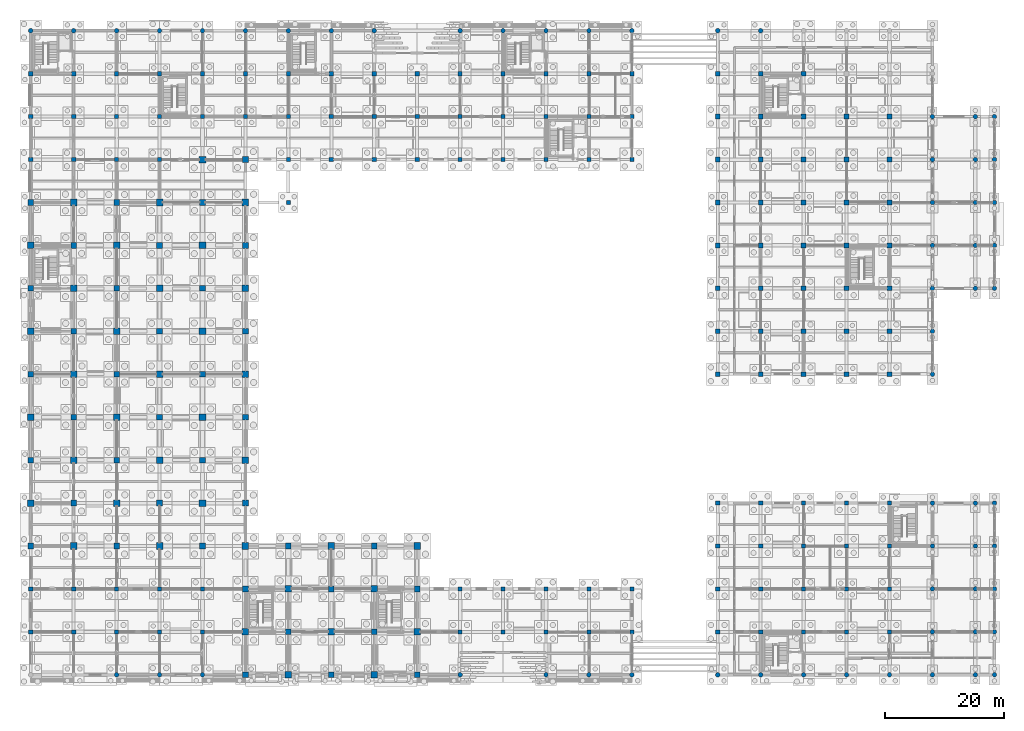
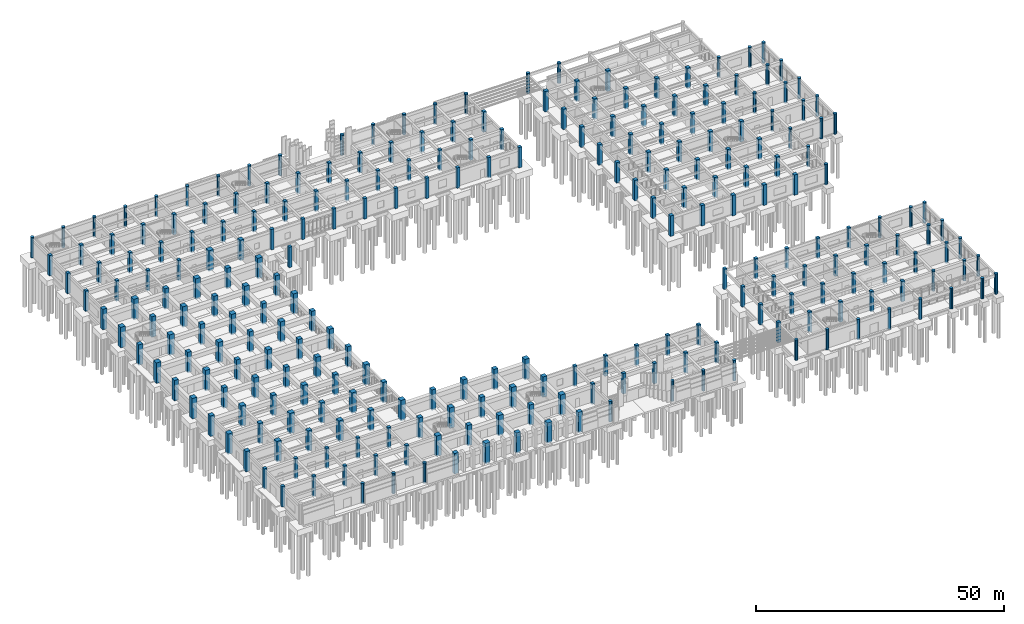
# One storey, part 16 of 79: 257 columns.
"""IFC4 building model written with IfcOpenShell, lengths in metres."""

from ifc_helpers import new_model, si_unit, direction, frame, origin, origin_2d, place, context, subcontext, project, spatial, rectangle, circle, extrude, material, material_profile, profile_set, type_object, element, save


model = new_model("IFC4")

# Units and contexts
model_context = context("Model", 3, precision=1e-05, world=origin(), true_north=direction((0.0, 1.0)))
body_context = subcontext(model_context, "Body", "Model", "MODEL_VIEW")
ifc_project = project(units=[si_unit("LENGTHUNIT", "METRE"), si_unit("AREAUNIT", "SQUARE_METRE"), si_unit("VOLUMEUNIT", "CUBIC_METRE"), si_unit("PLANEANGLEUNIT", "RADIAN"), si_unit("MASSUNIT", "GRAM", prefix="KILO")], contexts=[model_context])

# Site, building, storey
site_placement = place(None, origin())
site = spatial("IfcSite", under=ifc_project, at=site_placement, CompositionType="ELEMENT")
building_placement = place(site_placement, origin())
building = spatial("IfcBuilding", under=site, at=building_placement, Name="Kavelor Marine Aquarium", CompositionType="ELEMENT")
storey_placement = place(building_placement, origin())
storey = spatial("IfcBuildingStorey", under=building, at=storey_placement, Name="L00", CompositionType="ELEMENT", Elevation=0.0)

# Columns
ifc_material_1 = material(Name="Concrete C45/55", Category="concrete")
ifc_material_profile_1 = material_profile(ifc_material_1, rectangle(XDim=1.10009765625, YDim=1.10009765625, at=origin_2d()), Name="RC-COL 1100x1100")
ifc_profile_set_1 = profile_set([ifc_material_profile_1], Name="Concrete C45/55")
column_type_1 = type_object("IfcColumnType", Name="COL-C1", PredefinedType="COLUMN", material=ifc_profile_set_1)
for number, where, z_axis, x_axis, name in (
    (1, (3.199951171875, 31.60009765625, -0.35009765625), (0.0, 0.0, 1.0), (1.0, 0.0, 0.0), "col:L00:00_04"),
    (2, (3.199951171875, 46.0, -0.35009765625), (0.0, 0.0, 1.0), (1.0, 0.0, 0.0), "col:L00:00_06"),
    (3, (3.199951171875, 60.39990234375, -0.35009765625), (0.0, 0.0, 1.0), (1.0, 0.0, 0.0), "col:L00:00_08"),
    (4, (3.199951171875, 74.800048828125, -0.35009765625), (0.0, 0.0, 1.0), (1.0, 0.0, 0.0), "col:L00:00_10"),
    (5, (10.39990234375, 24.39990234375, -0.35009765625), (0.0, 0.0, 1.0), (1.0, 0.0, 0.0), "col:L00:01_03"),
    (6, (10.39990234375, 38.800048828125, -0.35009765625), (0.0, 0.0, 1.0), (1.0, 0.0, 0.0), "col:L00:01_05"),
    (7, (10.39990234375, 53.199951171875, -0.35009765625), (0.0, 0.0, 1.0), (1.0, 0.0, 0.0), "col:L00:01_07"),
    (8, (10.39990234375, 67.60009765625, -0.35009765625), (0.0, 0.0, 1.0), (1.0, 0.0, 0.0), "col:L00:01_09"),
    (9, (10.39990234375, 82.0, -0.35009765625), (0.0, 0.0, 1.0), (1.0, 0.0, 0.0), "col:L00:01_11"),
    (10, (17.60009765625, 31.60009765625, -0.35009765625), (0.0, 0.0, 1.0), (1.0, 0.0, 0.0), "col:L00:02_04"),
    (11, (17.60009765625, 46.0, -0.35009765625), (0.0, 0.0, 1.0), (1.0, 0.0, 0.0), "col:L00:02_06"),
    (12, (17.60009765625, 60.39990234375, -0.35009765625), (0.0, 0.0, 1.0), (1.0, 0.0, 0.0), "col:L00:02_08"),
    (13, (17.60009765625, 74.800048828125, -0.35009765625), (0.0, 0.0, 1.0), (1.0, 0.0, 0.0), "col:L00:02_10"),
    (14, (24.800048828125, 24.39990234375, -0.35009765625), (0.0, 0.0, 1.0), (1.0, 0.0, 0.0), "col:L00:03_03"),
    (15, (24.800048828125, 38.800048828125, -0.35009765625), (0.0, 0.0, 1.0), (1.0, 0.0, 0.0), "col:L00:03_05"),
    (16, (24.800048828125, 53.199951171875, -0.35009765625), (0.0, 0.0, 1.0), (1.0, 0.0, 0.0), "col:L00:03_07"),
    (17, (24.800048828125, 67.60009765625, -0.35009765625), (0.0, 0.0, 1.0), (1.0, 0.0, 0.0), "col:L00:03_09"),
    (18, (24.800048828125, 82.0, -0.35009765625), (0.0, 0.0, 1.0), (1.0, 0.0, 0.0), "col:L00:03_11"),
    (19, (32.0, 31.60009765625, -0.35009765625), (0.0, 0.0, 1.0), (1.0, 0.0, 0.0), "col:L00:04_04"),
    (20, (32.0, 46.0, -0.35009765625), (0.0, 0.0, 1.0), (1.0, 0.0, 0.0), "col:L00:04_06"),
    (21, (32.0, 60.39990234375, -0.35009765625), (0.0, 0.0, 1.0), (1.0, 0.0, 0.0), "col:L00:04_08"),
    (22, (32.0, 74.800048828125, -0.35009765625), (0.0, 0.0, 1.0), (1.0, 0.0, 0.0), "col:L00:04_10"),
    (23, (32.0, 89.199951171875, -0.35009765625), (0.0, 0.0, 1.0), (1.0, 0.0, 0.0), "col:L00:04_12"),
    (24, (39.199951171875, 10.0, -0.35009765625), (0.0, 0.0, 1.0), (1.0, 0.0, 0.0), "col:L00:05_01"),
    (25, (39.199951171875, 24.39990234375, -0.35009765625), (0.0, 0.0, 1.0), (1.0, 0.0, 0.0), "col:L00:05_03"),
    (26, (39.199951171875, 38.800048828125, -0.35009765625), (0.0, 0.0, 1.0), (1.0, 0.0, 0.0), "col:L00:05_05"),
    (27, (39.199951171875, 53.199951171875, -0.35009765625), (0.0, 0.0, 1.0), (1.0, 0.0, 0.0), "col:L00:05_07"),
    (28, (39.199951171875, 67.60009765625, -0.35009765625), (0.0, 0.0, 1.0), (1.0, 0.0, 0.0), "col:L00:05_09"),
    (29, (39.199951171875, 82.0, -0.35009765625), (0.0, 0.0, 1.0), (1.0, 0.0, 0.0), "col:L00:05_11"),
    (30, (46.39990234375, 2.800048828125, -0.35009765625), (0.0, 0.0, 1.0), (1.0, 0.0, 0.0), "col:L00:06_00"),
    (31, (46.39990234375, 17.199951171875, -0.35009765625), (0.0, 0.0, 1.0), (1.0, 0.0, 0.0), "col:L00:06_02"),
    (32, (53.60009765625, 10.0, -0.35009765625), (0.0, 0.0, 1.0), (1.0, 0.0, 0.0), "col:L00:07_01"),
    (33, (53.60009765625, 24.39990234375, -0.35009765625), (0.0, 0.0, 1.0), (1.0, 0.0, 0.0), "col:L00:07_03"),
    (34, (60.800048828125, 2.800048828125, -0.35009765625), (0.0, 0.0, 1.0), (1.0, 0.0, 0.0), "col:L00:08_00"),
    (35, (60.800048828125, 17.199951171875, -0.35009765625), (0.0, 0.0, 1.0), (1.0, 0.0, 0.0), "col:L00:08_02"),
    (36, (68.0, 10.0, -0.35009765625), (0.0, 0.0, 1.0), (1.0, 0.0, 0.0), "col:L00:09_01"),
    (37, (68.0, 24.39990234375, -0.35009765625), (0.0, 0.0, 1.0), (1.0, 0.0, 0.0), "col:L00:09_03"),
):
    element("IfcColumn", number, at=place(storey_placement, frame(where, z_axis=z_axis, x_axis=x_axis)), inside=storey, type_object=column_type_1, Name=name, PredefinedType="COLUMN", context=body_context, shape_type="SweptSolid", body=[
        extrude(rectangle(XDim=1.10009765625, YDim=1.10009765625, at=origin_2d()), origin(), (0.0, 0.0, 1.0), 5.030029296875),
    ])
ifc_material_2 = material(Name="Concrete C45/55", Category="concrete")
ifc_material_profile_2 = material_profile(ifc_material_2, rectangle(XDim=0.949951171875, YDim=0.949951171875, at=origin_2d()), Name="RC-COL 950x950")
ifc_profile_set_2 = profile_set([ifc_material_profile_2], Name="Concrete C45/55")
column_type_2 = type_object("IfcColumnType", Name="COL-C2", PredefinedType="COLUMN", material=ifc_profile_set_2)
for number, where, z_axis, x_axis, name in (
    (38, (3.199951171875, 24.39990234375, -0.35009765625), (0.0, 0.0, 1.0), (1.0, 0.0, 0.0), "col:L00:00_03"),
    (39, (3.199951171875, 38.800048828125, -0.35009765625), (0.0, 0.0, 1.0), (1.0, 0.0, 0.0), "col:L00:00_05"),
    (40, (3.199951171875, 53.199951171875, -0.35009765625), (0.0, 0.0, 1.0), (1.0, 0.0, 0.0), "col:L00:00_07"),
    (41, (3.199951171875, 67.60009765625, -0.35009765625), (0.0, 0.0, 1.0), (1.0, 0.0, 0.0), "col:L00:00_09"),
    (42, (3.199951171875, 82.0, -0.35009765625), (0.0, 0.0, 1.0), (1.0, 0.0, 0.0), "col:L00:00_11"),
    (43, (10.39990234375, 31.60009765625, -0.35009765625), (0.0, 0.0, 1.0), (1.0, 0.0, 0.0), "col:L00:01_04"),
    (44, (10.39990234375, 46.0, -0.35009765625), (0.0, 0.0, 1.0), (1.0, 0.0, 0.0), "col:L00:01_06"),
    (45, (10.39990234375, 60.39990234375, -0.35009765625), (0.0, 0.0, 1.0), (1.0, 0.0, 0.0), "col:L00:01_08"),
    (46, (10.39990234375, 74.800048828125, -0.35009765625), (0.0, 0.0, 1.0), (1.0, 0.0, 0.0), "col:L00:01_10"),
    (47, (17.60009765625, 24.39990234375, -0.35009765625), (0.0, 0.0, 1.0), (1.0, 0.0, 0.0), "col:L00:02_03"),
    (48, (17.60009765625, 38.800048828125, -0.35009765625), (0.0, 0.0, 1.0), (1.0, 0.0, 0.0), "col:L00:02_05"),
    (49, (17.60009765625, 53.199951171875, -0.35009765625), (0.0, 0.0, 1.0), (1.0, 0.0, 0.0), "col:L00:02_07"),
    (50, (17.60009765625, 67.60009765625, -0.35009765625), (0.0, 0.0, 1.0), (1.0, 0.0, 0.0), "col:L00:02_09"),
    (51, (17.60009765625, 82.0, -0.35009765625), (0.0, 0.0, 1.0), (1.0, 0.0, 0.0), "col:L00:02_11"),
    (52, (24.800048828125, 31.60009765625, -0.35009765625), (0.0, 0.0, 1.0), (1.0, 0.0, 0.0), "col:L00:03_04"),
    (53, (24.800048828125, 46.0, -0.35009765625), (0.0, 0.0, 1.0), (1.0, 0.0, 0.0), "col:L00:03_06"),
    (54, (24.800048828125, 60.39990234375, -0.35009765625), (0.0, 0.0, 1.0), (1.0, 0.0, 0.0), "col:L00:03_08"),
    (55, (24.800048828125, 74.800048828125, -0.35009765625), (0.0, 0.0, 1.0), (1.0, 0.0, 0.0), "col:L00:03_10"),
    (56, (32.0, 24.39990234375, -0.35009765625), (0.0, 0.0, 1.0), (1.0, 0.0, 0.0), "col:L00:04_03"),
    (57, (32.0, 38.800048828125, -0.35009765625), (0.0, 0.0, 1.0), (1.0, 0.0, 0.0), "col:L00:04_05"),
    (58, (32.0, 53.199951171875, -0.35009765625), (0.0, 0.0, 1.0), (1.0, 0.0, 0.0), "col:L00:04_07"),
    (59, (32.0, 67.60009765625, -0.35009765625), (0.0, 0.0, 1.0), (1.0, 0.0, 0.0), "col:L00:04_09"),
    (60, (32.0, 82.0, -0.35009765625), (0.0, 0.0, 1.0), (1.0, 0.0, 0.0), "col:L00:04_11"),
    (61, (39.199951171875, 2.800048828125, -0.35009765625), (0.0, 0.0, 1.0), (1.0, 0.0, 0.0), "col:L00:05_00"),
    (62, (39.199951171875, 17.199951171875, -0.35009765625), (0.0, 0.0, 1.0), (1.0, 0.0, 0.0), "col:L00:05_02"),
    (63, (39.199951171875, 31.60009765625, -0.35009765625), (0.0, 0.0, 1.0), (1.0, 0.0, 0.0), "col:L00:05_04"),
    (64, (39.199951171875, 46.0, -0.35009765625), (0.0, 0.0, 1.0), (1.0, 0.0, 0.0), "col:L00:05_06"),
    (65, (39.199951171875, 60.39990234375, -0.35009765625), (0.0, 0.0, 1.0), (1.0, 0.0, 0.0), "col:L00:05_08"),
    (66, (39.199951171875, 74.800048828125, -0.35009765625), (0.0, 0.0, 1.0), (1.0, 0.0, 0.0), "col:L00:05_10"),
    (67, (39.199951171875, 89.199951171875, -0.35009765625), (0.0, 0.0, 1.0), (1.0, 0.0, 0.0), "col:L00:05_12"),
    (68, (46.39990234375, 10.0, -0.35009765625), (0.0, 0.0, 1.0), (1.0, 0.0, 0.0), "col:L00:06_01"),
    (69, (46.39990234375, 24.39990234375, -0.35009765625), (0.0, 0.0, 1.0), (1.0, 0.0, 0.0), "col:L00:06_03"),
    (70, (53.60009765625, 2.800048828125, -0.35009765625), (0.0, 0.0, 1.0), (1.0, 0.0, 0.0), "col:L00:07_00"),
    (71, (53.60009765625, 17.199951171875, -0.35009765625), (0.0, 0.0, 1.0), (1.0, 0.0, 0.0), "col:L00:07_02"),
    (72, (60.800048828125, 10.0, -0.35009765625), (0.0, 0.0, 1.0), (1.0, 0.0, 0.0), "col:L00:08_01"),
    (73, (60.800048828125, 24.39990234375, -0.35009765625), (0.0, 0.0, 1.0), (1.0, 0.0, 0.0), "col:L00:08_03"),
    (74, (68.0, 2.800048828125, -0.35009765625), (0.0, 0.0, 1.0), (1.0, 0.0, 0.0), "col:L00:09_00"),
    (75, (68.0, 17.199951171875, -0.35009765625), (0.0, 0.0, 1.0), (1.0, 0.0, 0.0), "col:L00:09_02"),
):
    element("IfcColumn", number, at=place(storey_placement, frame(where, z_axis=z_axis, x_axis=x_axis)), inside=storey, type_object=column_type_2, Name=name, PredefinedType="COLUMN", context=body_context, shape_type="SweptSolid", body=[
        extrude(rectangle(XDim=0.949951171875, YDim=0.949951171875, at=origin_2d()), origin(), (0.0, 0.0, 1.0), 5.030029296875),
    ])
ifc_material_3 = material(Name="Concrete C40/50", Category="concrete")
ifc_material_profile_3 = material_profile(ifc_material_3, rectangle(XDim=0.800048828125, YDim=0.800048828125, at=origin_2d()), Name="RC-COL 800x800")
ifc_profile_set_3 = profile_set([ifc_material_profile_3], Name="Concrete C40/50")
column_type_3 = type_object("IfcColumnType", Name="COL-C3", PredefinedType="COLUMN", material=ifc_profile_set_3)
for number, where, z_axis, x_axis, name in (
    (76, (118.39990234375, 53.199951171875, -0.35009765625), (0.0, 0.0, 1.0), (1.0, 0.0, 0.0), "col:L00:16_07"),
    (77, (118.39990234375, 60.39990234375, -0.35009765625), (0.0, 0.0, 1.0), (1.0, 0.0, 0.0), "col:L00:16_08"),
    (78, (118.39990234375, 67.60009765625, -0.35009765625), (0.0, 0.0, 1.0), (1.0, 0.0, 0.0), "col:L00:16_09"),
    (79, (118.39990234375, 74.800048828125, -0.35009765625), (0.0, 0.0, 1.0), (1.0, 0.0, 0.0), "col:L00:16_10"),
    (80, (118.39990234375, 82.0, -0.35009765625), (0.0, 0.0, 1.0), (1.0, 0.0, 0.0), "col:L00:16_11"),
    (81, (118.39990234375, 89.199951171875, -0.35009765625), (0.0, 0.0, 1.0), (1.0, 0.0, 0.0), "col:L00:16_12"),
    (82, (118.39990234375, 96.39990234375, -0.35009765625), (0.0, 0.0, 1.0), (1.0, 0.0, 0.0), "col:L00:16_13"),
    (83, (118.39990234375, 103.60009765625, -0.35009765625), (0.0, 0.0, 1.0), (1.0, 0.0, 0.0), "col:L00:16_14"),
    (84, (125.60009765625, 53.199951171875, -0.35009765625), (0.0, 0.0, 1.0), (1.0, 0.0, 0.0), "col:L00:17_07"),
    (85, (125.60009765625, 60.39990234375, -0.35009765625), (0.0, 0.0, 1.0), (1.0, 0.0, 0.0), "col:L00:17_08"),
    (86, (125.60009765625, 67.60009765625, -0.35009765625), (0.0, 0.0, 1.0), (1.0, 0.0, 0.0), "col:L00:17_09"),
    (87, (125.60009765625, 74.800048828125, -0.35009765625), (0.0, 0.0, 1.0), (1.0, 0.0, 0.0), "col:L00:17_10"),
    (88, (125.60009765625, 82.0, -0.35009765625), (0.0, 0.0, 1.0), (1.0, 0.0, 0.0), "col:L00:17_11"),
    (89, (125.60009765625, 89.199951171875, -0.35009765625), (0.0, 0.0, 1.0), (1.0, 0.0, 0.0), "col:L00:17_12"),
    (90, (125.60009765625, 96.39990234375, -0.35009765625), (0.0, 0.0, 1.0), (1.0, 0.0, 0.0), "col:L00:17_13"),
    (91, (125.60009765625, 103.60009765625, -0.35009765625), (0.0, 0.0, 1.0), (1.0, 0.0, 0.0), "col:L00:17_14"),
    (92, (132.800048828125, 53.199951171875, -0.35009765625), (0.0, 0.0, 1.0), (1.0, 0.0, 0.0), "col:L00:18_07"),
    (93, (132.800048828125, 60.39990234375, -0.35009765625), (0.0, 0.0, 1.0), (1.0, 0.0, 0.0), "col:L00:18_08"),
    (94, (132.800048828125, 67.60009765625, -0.35009765625), (0.0, 0.0, 1.0), (1.0, 0.0, 0.0), "col:L00:18_09"),
    (95, (132.800048828125, 74.800048828125, -0.35009765625), (0.0, 0.0, 1.0), (1.0, 0.0, 0.0), "col:L00:18_10"),
    (96, (132.800048828125, 82.0, -0.35009765625), (0.0, 0.0, 1.0), (1.0, 0.0, 0.0), "col:L00:18_11"),
    (97, (132.800048828125, 89.199951171875, -0.35009765625), (0.0, 0.0, 1.0), (1.0, 0.0, 0.0), "col:L00:18_12"),
    (98, (132.800048828125, 96.39990234375, -0.35009765625), (0.0, 0.0, 1.0), (1.0, 0.0, 0.0), "col:L00:18_13"),
    (99, (132.800048828125, 103.60009765625, -0.35009765625), (0.0, 0.0, 1.0), (1.0, 0.0, 0.0), "col:L00:18_14"),
    (100, (140.0, 53.199951171875, -0.35009765625), (0.0, 0.0, 1.0), (1.0, 0.0, 0.0), "col:L00:19_07"),
    (101, (140.0, 60.39990234375, -0.35009765625), (0.0, 0.0, 1.0), (1.0, 0.0, 0.0), "col:L00:19_08"),
    (102, (140.0, 67.60009765625, -0.35009765625), (0.0, 0.0, 1.0), (1.0, 0.0, 0.0), "col:L00:19_09"),
    (103, (140.0, 74.800048828125, -0.35009765625), (0.0, 0.0, 1.0), (1.0, 0.0, 0.0), "col:L00:19_10"),
    (104, (140.0, 82.0, -0.35009765625), (0.0, 0.0, 1.0), (1.0, 0.0, 0.0), "col:L00:19_11"),
    (105, (140.0, 89.199951171875, -0.35009765625), (0.0, 0.0, 1.0), (1.0, 0.0, 0.0), "col:L00:19_12"),
    (106, (140.0, 96.39990234375, -0.35009765625), (0.0, 0.0, 1.0), (1.0, 0.0, 0.0), "col:L00:19_13"),
    (107, (147.199951171875, 53.199951171875, -0.35009765625), (0.0, 0.0, 1.0), (1.0, 0.0, 0.0), "col:L00:20_07"),
    (108, (147.199951171875, 60.39990234375, -0.35009765625), (0.0, 0.0, 1.0), (1.0, 0.0, 0.0), "col:L00:20_08"),
    (109, (147.199951171875, 67.60009765625, -0.35009765625), (0.0, 0.0, 1.0), (1.0, 0.0, 0.0), "col:L00:20_09"),
    (110, (147.199951171875, 74.800048828125, -0.35009765625), (0.0, 0.0, 1.0), (1.0, 0.0, 0.0), "col:L00:20_10"),
    (111, (147.199951171875, 82.0, -0.35009765625), (0.0, 0.0, 1.0), (1.0, 0.0, 0.0), "col:L00:20_11"),
    (112, (147.199951171875, 89.199951171875, -0.35009765625), (0.0, 0.0, 1.0), (1.0, 0.0, 0.0), "col:L00:20_12"),
    (113, (147.199951171875, 96.39990234375, -0.35009765625), (0.0, 0.0, 1.0), (1.0, 0.0, 0.0), "col:L00:20_13"),
):
    element("IfcColumn", number, at=place(storey_placement, frame(where, z_axis=z_axis, x_axis=x_axis)), inside=storey, type_object=column_type_3, Name=name, PredefinedType="COLUMN", context=body_context, shape_type="SweptSolid", body=[
        extrude(rectangle(XDim=0.800048828125, YDim=0.800048828125, at=origin_2d()), origin(), (0.0, 0.0, 1.0), 5.030029296875),
    ])
ifc_material_4 = material(Name="Concrete C40/50", Category="concrete")
ifc_material_profile_4 = material_profile(ifc_material_4, rectangle(XDim=0.699951171875, YDim=0.699951171875, at=origin_2d()), Name="RC-COL 700x700")
ifc_profile_set_4 = profile_set([ifc_material_profile_4], Name="Concrete C40/50")
column_type_4 = type_object("IfcColumnType", Name="COL-C4", PredefinedType="COLUMN", material=ifc_profile_set_4)
for number, where, z_axis, x_axis, name in (
    (114, (3.199951171875, 10.0, -0.35009765625), (0.0, 0.0, 1.0), (1.0, 0.0, 0.0), "col:L00:00_01"),
    (115, (3.199951171875, 17.199951171875, -0.35009765625), (0.0, 0.0, 1.0), (1.0, 0.0, 0.0), "col:L00:00_02"),
    (116, (3.199951171875, 89.199951171875, -0.35009765625), (0.0, 0.0, 1.0), (1.0, 0.0, 0.0), "col:L00:00_12"),
    (117, (3.199951171875, 96.39990234375, -0.35009765625), (0.0, 0.0, 1.0), (1.0, 0.0, 0.0), "col:L00:00_13"),
    (118, (3.199951171875, 103.60009765625, -0.35009765625), (0.0, 0.0, 1.0), (1.0, 0.0, 0.0), "col:L00:00_14"),
    (119, (10.39990234375, 10.0, -0.35009765625), (0.0, 0.0, 1.0), (1.0, 0.0, 0.0), "col:L00:01_01"),
    (120, (10.39990234375, 17.199951171875, -0.35009765625), (0.0, 0.0, 1.0), (1.0, 0.0, 0.0), "col:L00:01_02"),
    (121, (10.39990234375, 89.199951171875, -0.35009765625), (0.0, 0.0, 1.0), (1.0, 0.0, 0.0), "col:L00:01_12"),
    (122, (10.39990234375, 96.39990234375, -0.35009765625), (0.0, 0.0, 1.0), (1.0, 0.0, 0.0), "col:L00:01_13"),
    (123, (10.39990234375, 103.60009765625, -0.35009765625), (0.0, 0.0, 1.0), (1.0, 0.0, 0.0), "col:L00:01_14"),
    (124, (17.60009765625, 10.0, -0.35009765625), (0.0, 0.0, 1.0), (1.0, 0.0, 0.0), "col:L00:02_01"),
    (125, (17.60009765625, 17.199951171875, -0.35009765625), (0.0, 0.0, 1.0), (1.0, 0.0, 0.0), "col:L00:02_02"),
    (126, (17.60009765625, 89.199951171875, -0.35009765625), (0.0, 0.0, 1.0), (1.0, 0.0, 0.0), "col:L00:02_12"),
    (127, (17.60009765625, 96.39990234375, -0.35009765625), (0.0, 0.0, 1.0), (1.0, 0.0, 0.0), "col:L00:02_13"),
    (128, (17.60009765625, 103.60009765625, -0.35009765625), (0.0, 0.0, 1.0), (1.0, 0.0, 0.0), "col:L00:02_14"),
    (129, (24.800048828125, 10.0, -0.35009765625), (0.0, 0.0, 1.0), (1.0, 0.0, 0.0), "col:L00:03_01"),
    (130, (24.800048828125, 17.199951171875, -0.35009765625), (0.0, 0.0, 1.0), (1.0, 0.0, 0.0), "col:L00:03_02"),
    (131, (24.800048828125, 89.199951171875, -0.35009765625), (0.0, 0.0, 1.0), (1.0, 0.0, 0.0), "col:L00:03_12"),
    (132, (24.800048828125, 96.39990234375, -0.35009765625), (0.0, 0.0, 1.0), (1.0, 0.0, 0.0), "col:L00:03_13"),
    (133, (24.800048828125, 103.60009765625, -0.35009765625), (0.0, 0.0, 1.0), (1.0, 0.0, 0.0), "col:L00:03_14"),
    (134, (32.0, 10.0, -0.35009765625), (0.0, 0.0, 1.0), (1.0, 0.0, 0.0), "col:L00:04_01"),
    (135, (32.0, 17.199951171875, -0.35009765625), (0.0, 0.0, 1.0), (1.0, 0.0, 0.0), "col:L00:04_02"),
    (136, (32.0, 96.39990234375, -0.35009765625), (0.0, 0.0, 1.0), (1.0, 0.0, 0.0), "col:L00:04_13"),
    (137, (32.0, 103.60009765625, -0.35009765625), (0.0, 0.0, 1.0), (1.0, 0.0, 0.0), "col:L00:04_14"),
    (138, (39.199951171875, 96.39990234375, -0.35009765625), (0.0, 0.0, 1.0), (1.0, 0.0, 0.0), "col:L00:05_13"),
    (139, (39.199951171875, 103.60009765625, -0.35009765625), (0.0, 0.0, 1.0), (1.0, 0.0, 0.0), "col:L00:05_14"),
    (140, (46.39990234375, 82.0, -0.35009765625), (0.0, 0.0, 1.0), (1.0, 0.0, 0.0), "col:L00:06_11"),
    (141, (46.39990234375, 89.199951171875, -0.35009765625), (0.0, 0.0, 1.0), (1.0, 0.0, 0.0), "col:L00:06_12"),
    (142, (46.39990234375, 96.39990234375, -0.35009765625), (0.0, 0.0, 1.0), (1.0, 0.0, 0.0), "col:L00:06_13"),
    (143, (46.39990234375, 103.60009765625, -0.35009765625), (0.0, 0.0, 1.0), (1.0, 0.0, 0.0), "col:L00:06_14"),
    (144, (53.60009765625, 89.199951171875, -0.35009765625), (0.0, 0.0, 1.0), (1.0, 0.0, 0.0), "col:L00:07_12"),
    (145, (53.60009765625, 96.39990234375, -0.35009765625), (0.0, 0.0, 1.0), (1.0, 0.0, 0.0), "col:L00:07_13"),
    (146, (53.60009765625, 103.60009765625, -0.35009765625), (0.0, 0.0, 1.0), (1.0, 0.0, 0.0), "col:L00:07_14"),
    (147, (60.800048828125, 89.199951171875, -0.35009765625), (0.0, 0.0, 1.0), (1.0, 0.0, 0.0), "col:L00:08_12"),
    (148, (60.800048828125, 96.39990234375, -0.35009765625), (0.0, 0.0, 1.0), (1.0, 0.0, 0.0), "col:L00:08_13"),
    (149, (60.800048828125, 103.60009765625, -0.35009765625), (0.0, 0.0, 1.0), (1.0, 0.0, 0.0), "col:L00:08_14"),
    (150, (68.0, 89.199951171875, -0.35009765625), (0.0, 0.0, 1.0), (1.0, 0.0, 0.0), "col:L00:09_12"),
    (151, (68.0, 96.39990234375, -0.35009765625), (0.0, 0.0, 1.0), (1.0, 0.0, 0.0), "col:L00:09_13"),
    (152, (68.0, 103.60009765625, -0.35009765625), (0.0, 0.0, 1.0), (1.0, 0.0, 0.0), "col:L00:09_14"),
    (153, (75.199951171875, 10.0, -0.35009765625), (0.0, 0.0, 1.0), (1.0, 0.0, 0.0), "col:L00:10_01"),
    (154, (75.199951171875, 17.199951171875, -0.35009765625), (0.0, 0.0, 1.0), (1.0, 0.0, 0.0), "col:L00:10_02"),
    (155, (75.199951171875, 89.199951171875, -0.35009765625), (0.0, 0.0, 1.0), (1.0, 0.0, 0.0), "col:L00:10_12"),
    (156, (75.199951171875, 96.39990234375, -0.35009765625), (0.0, 0.0, 1.0), (1.0, 0.0, 0.0), "col:L00:10_13"),
    (157, (75.199951171875, 103.60009765625, -0.35009765625), (0.0, 0.0, 1.0), (1.0, 0.0, 0.0), "col:L00:10_14"),
    (158, (82.39990234375, 10.0, -0.35009765625), (0.0, 0.0, 1.0), (1.0, 0.0, 0.0), "col:L00:11_01"),
    (159, (82.39990234375, 17.199951171875, -0.35009765625), (0.0, 0.0, 1.0), (1.0, 0.0, 0.0), "col:L00:11_02"),
    (160, (82.39990234375, 89.199951171875, -0.35009765625), (0.0, 0.0, 1.0), (1.0, 0.0, 0.0), "col:L00:11_12"),
    (161, (82.39990234375, 96.39990234375, -0.35009765625), (0.0, 0.0, 1.0), (1.0, 0.0, 0.0), "col:L00:11_13"),
    (162, (82.39990234375, 103.60009765625, -0.35009765625), (0.0, 0.0, 1.0), (1.0, 0.0, 0.0), "col:L00:11_14"),
    (163, (89.60009765625, 10.0, -0.35009765625), (0.0, 0.0, 1.0), (1.0, 0.0, 0.0), "col:L00:12_01"),
    (164, (89.60009765625, 17.199951171875, -0.35009765625), (0.0, 0.0, 1.0), (1.0, 0.0, 0.0), "col:L00:12_02"),
    (165, (89.60009765625, 89.199951171875, -0.35009765625), (0.0, 0.0, 1.0), (1.0, 0.0, 0.0), "col:L00:12_12"),
    (166, (89.60009765625, 96.39990234375, -0.35009765625), (0.0, 0.0, 1.0), (1.0, 0.0, 0.0), "col:L00:12_13"),
    (167, (89.60009765625, 103.60009765625, -0.35009765625), (0.0, 0.0, 1.0), (1.0, 0.0, 0.0), "col:L00:12_14"),
    (168, (96.800048828125, 10.0, -0.35009765625), (0.0, 0.0, 1.0), (1.0, 0.0, 0.0), "col:L00:13_01"),
    (169, (96.800048828125, 17.199951171875, -0.35009765625), (0.0, 0.0, 1.0), (1.0, 0.0, 0.0), "col:L00:13_02"),
    (170, (96.800048828125, 89.199951171875, -0.35009765625), (0.0, 0.0, 1.0), (1.0, 0.0, 0.0), "col:L00:13_12"),
    (171, (96.800048828125, 96.39990234375, -0.35009765625), (0.0, 0.0, 1.0), (1.0, 0.0, 0.0), "col:L00:13_13"),
    (172, (96.800048828125, 103.60009765625, -0.35009765625), (0.0, 0.0, 1.0), (1.0, 0.0, 0.0), "col:L00:13_14"),
    (173, (104.0, 10.0, -0.35009765625), (0.0, 0.0, 1.0), (1.0, 0.0, 0.0), "col:L00:14_01"),
    (174, (104.0, 17.199951171875, -0.35009765625), (0.0, 0.0, 1.0), (1.0, 0.0, 0.0), "col:L00:14_02"),
    (175, (104.0, 89.199951171875, -0.35009765625), (0.0, 0.0, 1.0), (1.0, 0.0, 0.0), "col:L00:14_12"),
    (176, (104.0, 96.39990234375, -0.35009765625), (0.0, 0.0, 1.0), (1.0, 0.0, 0.0), "col:L00:14_13"),
    (177, (104.0, 103.60009765625, -0.35009765625), (0.0, 0.0, 1.0), (1.0, 0.0, 0.0), "col:L00:14_14"),
    (178, (118.39990234375, 10.0, -0.35009765625), (0.0, 0.0, 1.0), (1.0, 0.0, 0.0), "col:L00:16_01"),
    (179, (118.39990234375, 17.199951171875, -0.35009765625), (0.0, 0.0, 1.0), (1.0, 0.0, 0.0), "col:L00:16_02"),
    (180, (118.39990234375, 24.39990234375, -0.35009765625), (0.0, 0.0, 1.0), (1.0, 0.0, 0.0), "col:L00:16_03"),
    (181, (118.39990234375, 31.60009765625, -0.35009765625), (0.0, 0.0, 1.0), (1.0, 0.0, 0.0), "col:L00:16_04"),
    (182, (125.60009765625, 10.0, -0.35009765625), (0.0, 0.0, 1.0), (1.0, 0.0, 0.0), "col:L00:17_01"),
    (183, (125.60009765625, 17.199951171875, -0.35009765625), (0.0, 0.0, 1.0), (1.0, 0.0, 0.0), "col:L00:17_02"),
    (184, (125.60009765625, 24.39990234375, -0.35009765625), (0.0, 0.0, 1.0), (1.0, 0.0, 0.0), "col:L00:17_03"),
    (185, (125.60009765625, 31.60009765625, -0.35009765625), (0.0, 0.0, 1.0), (1.0, 0.0, 0.0), "col:L00:17_04"),
    (186, (132.800048828125, 10.0, -0.35009765625), (0.0, 0.0, 1.0), (1.0, 0.0, 0.0), "col:L00:18_01"),
    (187, (132.800048828125, 17.199951171875, -0.35009765625), (0.0, 0.0, 1.0), (1.0, 0.0, 0.0), "col:L00:18_02"),
    (188, (132.800048828125, 24.39990234375, -0.35009765625), (0.0, 0.0, 1.0), (1.0, 0.0, 0.0), "col:L00:18_03"),
    (189, (132.800048828125, 31.60009765625, -0.35009765625), (0.0, 0.0, 1.0), (1.0, 0.0, 0.0), "col:L00:18_04"),
    (190, (140.0, 10.0, -0.35009765625), (0.0, 0.0, 1.0), (1.0, 0.0, 0.0), "col:L00:19_01"),
    (191, (140.0, 17.199951171875, -0.35009765625), (0.0, 0.0, 1.0), (1.0, 0.0, 0.0), "col:L00:19_02"),
    (192, (140.0, 24.39990234375, -0.35009765625), (0.0, 0.0, 1.0), (1.0, 0.0, 0.0), "col:L00:19_03"),
    (193, (140.0, 31.60009765625, -0.35009765625), (0.0, 0.0, 1.0), (1.0, 0.0, 0.0), "col:L00:19_04"),
    (194, (147.199951171875, 10.0, -0.35009765625), (0.0, 0.0, 1.0), (1.0, 0.0, 0.0), "col:L00:20_01"),
    (195, (147.199951171875, 17.199951171875, -0.35009765625), (0.0, 0.0, 1.0), (1.0, 0.0, 0.0), "col:L00:20_02"),
    (196, (147.199951171875, 24.39990234375, -0.35009765625), (0.0, 0.0, 1.0), (1.0, 0.0, 0.0), "col:L00:20_03"),
    (197, (147.199951171875, 31.60009765625, -0.35009765625), (0.0, 0.0, 1.0), (1.0, 0.0, 0.0), "col:L00:20_04"),
):
    element("IfcColumn", number, at=place(storey_placement, frame(where, z_axis=z_axis, x_axis=x_axis)), inside=storey, type_object=column_type_4, Name=name, PredefinedType="COLUMN", context=body_context, shape_type="SweptSolid", body=[
        extrude(rectangle(XDim=0.699951171875, YDim=0.699951171875, at=origin_2d()), origin(), (0.0, 0.0, 1.0), 5.030029296875),
    ])
ifc_material_5 = material(Name="Concrete C40/50", Category="concrete")
ifc_material_profile_5 = material_profile(ifc_material_5, circle(Radius=0.375, at=origin_2d()), Name="RC-COL D750")
ifc_profile_set_5 = profile_set([ifc_material_profile_5], Name="Concrete C40/50")
column_type_5 = type_object("IfcColumnType", Name="COL-C7", PredefinedType="COLUMN", material=ifc_profile_set_5)
for number, where, z_axis, x_axis, name in (
    (198, (3.199951171875, 110.800048828125, -0.35009765625), (0.0, 0.0, 1.0), (1.0, 0.0, 0.0), "col:L00:00_15"),
    (199, (10.39990234375, 110.800048828125, -0.35009765625), (0.0, 0.0, 1.0), (1.0, 0.0, 0.0), "col:L00:01_15"),
    (200, (17.60009765625, 2.800048828125, -0.35009765625), (0.0, 0.0, 1.0), (1.0, 0.0, 0.0), "col:L00:02_00"),
    (201, (17.60009765625, 110.800048828125, -0.35009765625), (0.0, 0.0, 1.0), (1.0, 0.0, 0.0), "col:L00:02_15"),
    (202, (24.800048828125, 2.800048828125, -0.35009765625), (0.0, 0.0, 1.0), (1.0, 0.0, 0.0), "col:L00:03_00"),
    (203, (24.800048828125, 110.800048828125, -0.35009765625), (0.0, 0.0, 1.0), (1.0, 0.0, 0.0), "col:L00:03_15"),
    (204, (32.0, 2.800048828125, -0.35009765625), (0.0, 0.0, 1.0), (1.0, 0.0, 0.0), "col:L00:04_00"),
    (205, (32.0, 110.800048828125, -0.35009765625), (0.0, 0.0, 1.0), (1.0, 0.0, 0.0), "col:L00:04_15"),
    (206, (39.199951171875, 110.800048828125, -0.35009765625), (0.0, 0.0, 1.0), (1.0, 0.0, 0.0), "col:L00:05_15"),
    (207, (46.39990234375, 110.800048828125, -0.35009765625), (0.0, 0.0, 1.0), (1.0, 0.0, 0.0), "col:L00:06_15"),
    (208, (53.60009765625, 110.800048828125, -0.35009765625), (0.0, 0.0, 1.0), (1.0, 0.0, 0.0), "col:L00:07_15"),
    (209, (60.800048828125, 110.800048828125, -0.35009765625), (0.0, 0.0, 1.0), (1.0, 0.0, 0.0), "col:L00:08_15"),
    (210, (75.199951171875, 2.800048828125, -0.35009765625), (0.0, 0.0, 1.0), (1.0, 0.0, 0.0), "col:L00:10_00"),
    (211, (75.199951171875, 110.800048828125, -0.35009765625), (0.0, 0.0, 1.0), (1.0, 0.0, 0.0), "col:L00:10_15"),
    (212, (82.39990234375, 110.800048828125, -0.35009765625), (0.0, 0.0, 1.0), (1.0, 0.0, 0.0), "col:L00:11_15"),
    (213, (89.60009765625, 2.800048828125, -0.35009765625), (0.0, 0.0, 1.0), (1.0, 0.0, 0.0), "col:L00:12_00"),
    (214, (89.60009765625, 110.800048828125, -0.35009765625), (0.0, 0.0, 1.0), (1.0, 0.0, 0.0), "col:L00:12_15"),
    (215, (96.800048828125, 2.800048828125, -0.35009765625), (0.0, 0.0, 1.0), (1.0, 0.0, 0.0), "col:L00:13_00"),
    (216, (96.800048828125, 110.800048828125, -0.35009765625), (0.0, 0.0, 1.0), (1.0, 0.0, 0.0), "col:L00:13_15"),
    (217, (104.0, 2.800048828125, -0.35009765625), (0.0, 0.0, 1.0), (1.0, 0.0, 0.0), "col:L00:14_00"),
    (218, (104.0, 110.800048828125, -0.35009765625), (0.0, 0.0, 1.0), (1.0, 0.0, 0.0), "col:L00:14_15"),
    (219, (118.39990234375, 2.800048828125, -0.35009765625), (0.0, 0.0, 1.0), (1.0, 0.0, 0.0), "col:L00:16_00"),
    (220, (118.39990234375, 110.800048828125, -0.35009765625), (0.0, 0.0, 1.0), (1.0, 0.0, 0.0), "col:L00:16_15"),
    (221, (125.60009765625, 2.800048828125, -0.35009765625), (0.0, 0.0, 1.0), (1.0, 0.0, 0.0), "col:L00:17_00"),
    (222, (125.60009765625, 110.800048828125, -0.35009765625), (0.0, 0.0, 1.0), (1.0, 0.0, 0.0), "col:L00:17_15"),
    (223, (132.800048828125, 2.800048828125, -0.35009765625), (0.0, 0.0, 1.0), (1.0, 0.0, 0.0), "col:L00:18_00"),
    (224, (140.0, 2.800048828125, -0.35009765625), (0.0, 0.0, 1.0), (1.0, 0.0, 0.0), "col:L00:19_00"),
    (225, (147.199951171875, 2.800048828125, -0.35009765625), (0.0, 0.0, 1.0), (1.0, 0.0, 0.0), "col:L00:20_00"),
    (226, (154.39990234375, 2.800048828125, -0.35009765625), (0.0, 0.0, 1.0), (1.0, 0.0, 0.0), "col:L00:21_00"),
    (227, (154.39990234375, 10.0, -0.35009765625), (0.0, 0.0, 1.0), (1.0, 0.0, 0.0), "col:L00:21_01"),
    (228, (154.39990234375, 17.199951171875, -0.35009765625), (0.0, 0.0, 1.0), (1.0, 0.0, 0.0), "col:L00:21_02"),
    (229, (154.39990234375, 24.39990234375, -0.35009765625), (0.0, 0.0, 1.0), (1.0, 0.0, 0.0), "col:L00:21_03"),
    (230, (154.39990234375, 31.60009765625, -0.35009765625), (0.0, 0.0, 1.0), (1.0, 0.0, 0.0), "col:L00:21_04"),
    (231, (154.39990234375, 53.199951171875, -0.35009765625), (0.0, 0.0, 1.0), (1.0, 0.0, 0.0), "col:L00:21_07"),
    (232, (154.39990234375, 60.39990234375, -0.35009765625), (0.0, 0.0, 1.0), (1.0, 0.0, 0.0), "col:L00:21_08"),
    (233, (154.39990234375, 67.60009765625, -0.35009765625), (0.0, 0.0, 1.0), (1.0, 0.0, 0.0), "col:L00:21_09"),
    (234, (154.39990234375, 74.800048828125, -0.35009765625), (0.0, 0.0, 1.0), (1.0, 0.0, 0.0), "col:L00:21_10"),
    (235, (154.39990234375, 82.0, -0.35009765625), (0.0, 0.0, 1.0), (1.0, 0.0, 0.0), "col:L00:21_11"),
    (236, (154.39990234375, 89.199951171875, -0.35009765625), (0.0, 0.0, 1.0), (1.0, 0.0, 0.0), "col:L00:21_12"),
    (237, (154.39990234375, 96.39990234375, -0.35009765625), (0.0, 0.0, 1.0), (1.0, 0.0, 0.0), "col:L00:21_13"),
    (238, (161.60009765625, 2.800048828125, -0.35009765625), (0.0, 0.0, 1.0), (1.0, 0.0, 0.0), "col:L00:22_00"),
    (239, (161.60009765625, 10.0, -0.35009765625), (0.0, 0.0, 1.0), (1.0, 0.0, 0.0), "col:L00:22_01"),
    (240, (161.60009765625, 17.199951171875, -0.35009765625), (0.0, 0.0, 1.0), (1.0, 0.0, 0.0), "col:L00:22_02"),
    (241, (161.60009765625, 24.39990234375, -0.35009765625), (0.0, 0.0, 1.0), (1.0, 0.0, 0.0), "col:L00:22_03"),
    (242, (161.60009765625, 31.60009765625, -0.35009765625), (0.0, 0.0, 1.0), (1.0, 0.0, 0.0), "col:L00:22_04"),
    (243, (161.60009765625, 67.60009765625, -0.35009765625), (0.0, 0.0, 1.0), (1.0, 0.0, 0.0), "col:L00:22_09"),
    (244, (161.60009765625, 74.800048828125, -0.35009765625), (0.0, 0.0, 1.0), (1.0, 0.0, 0.0), "col:L00:22_10"),
    (245, (161.60009765625, 82.0, -0.35009765625), (0.0, 0.0, 1.0), (1.0, 0.0, 0.0), "col:L00:22_11"),
    (246, (161.60009765625, 89.199951171875, -0.35009765625), (0.0, 0.0, 1.0), (1.0, 0.0, 0.0), "col:L00:22_12"),
    (247, (161.60009765625, 96.39990234375, -0.35009765625), (0.0, 0.0, 1.0), (1.0, 0.0, 0.0), "col:L00:22_13"),
    (248, (164.800048828125, 2.800048828125, -0.35009765625), (0.0, 0.0, 1.0), (1.0, 0.0, 0.0), "col:L00:23_00"),
    (249, (164.800048828125, 10.0, -0.35009765625), (0.0, 0.0, 1.0), (1.0, 0.0, 0.0), "col:L00:23_01"),
    (250, (164.800048828125, 17.199951171875, -0.35009765625), (0.0, 0.0, 1.0), (1.0, 0.0, 0.0), "col:L00:23_02"),
    (251, (164.800048828125, 24.39990234375, -0.35009765625), (0.0, 0.0, 1.0), (1.0, 0.0, 0.0), "col:L00:23_03"),
    (252, (164.800048828125, 31.60009765625, -0.35009765625), (0.0, 0.0, 1.0), (1.0, 0.0, 0.0), "col:L00:23_04"),
    (253, (164.800048828125, 67.60009765625, -0.35009765625), (0.0, 0.0, 1.0), (1.0, 0.0, 0.0), "col:L00:23_09"),
    (254, (164.800048828125, 74.800048828125, -0.35009765625), (0.0, 0.0, 1.0), (1.0, 0.0, 0.0), "col:L00:23_10"),
    (255, (164.800048828125, 82.0, -0.35009765625), (0.0, 0.0, 1.0), (1.0, 0.0, 0.0), "col:L00:23_11"),
    (256, (164.800048828125, 89.199951171875, -0.35009765625), (0.0, 0.0, 1.0), (1.0, 0.0, 0.0), "col:L00:23_12"),
    (257, (164.800048828125, 96.39990234375, -0.35009765625), (0.0, 0.0, 1.0), (1.0, 0.0, 0.0), "col:L00:23_13"),
):
    element("IfcColumn", number, at=place(storey_placement, frame(where, z_axis=z_axis, x_axis=x_axis)), inside=storey, type_object=column_type_5, Name=name, PredefinedType="COLUMN", context=body_context, shape_type="SweptSolid", body=[
        extrude(circle(Radius=0.375, at=origin_2d()), origin(), (0.0, 0.0, 1.0), 5.030029296875),
    ])

save(model, "model.ifc")
